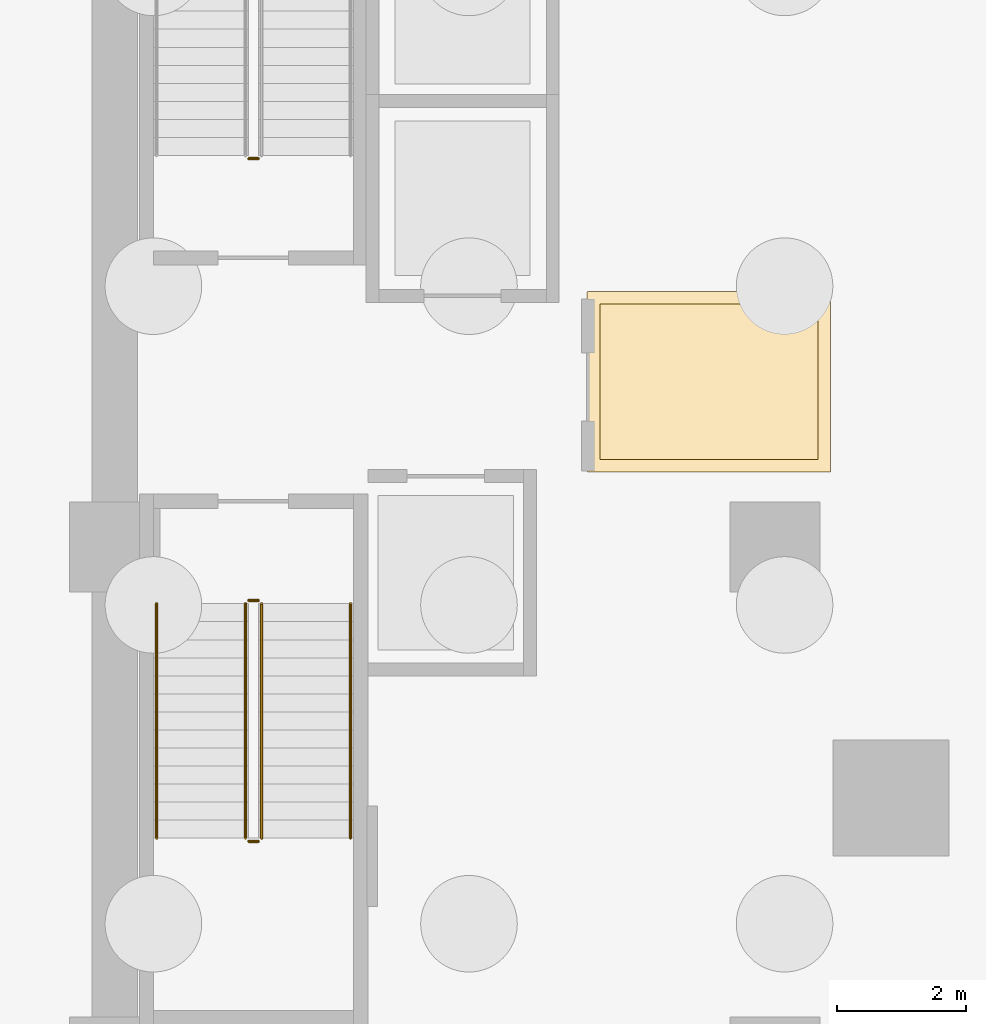
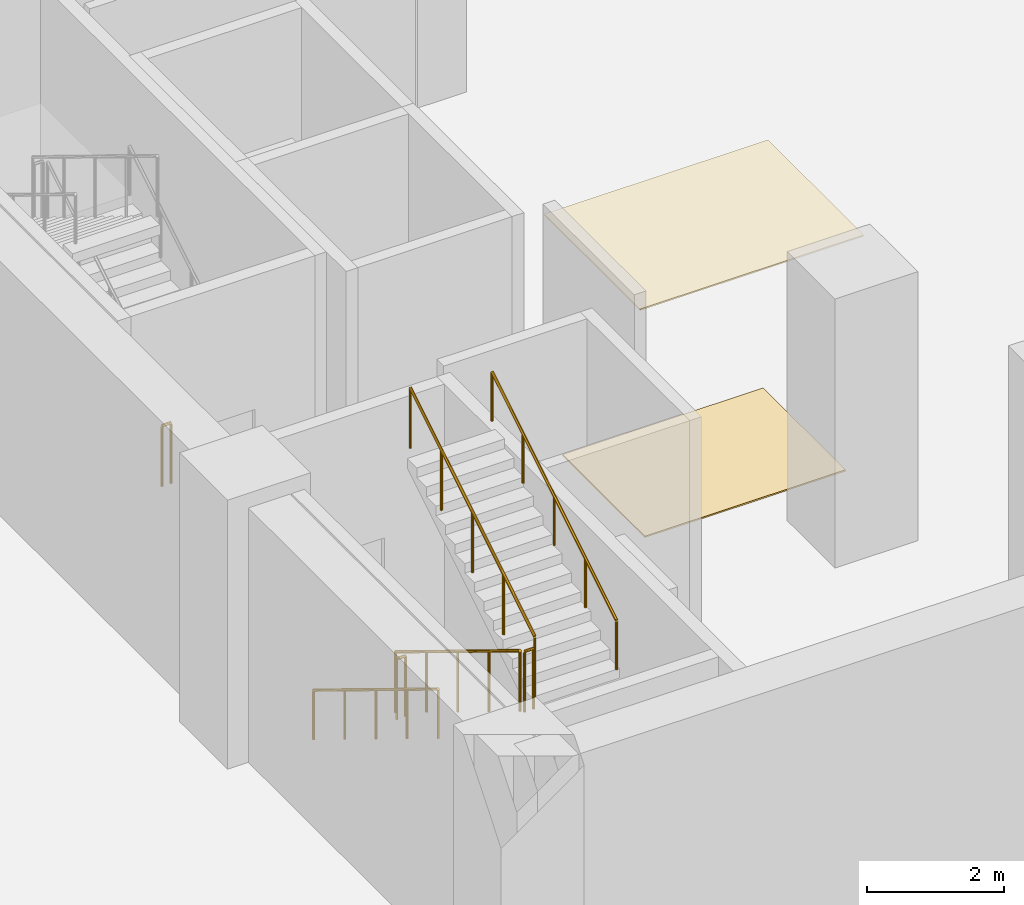
# One storey, part 6 of 10: 7 railings, 2 coverings.
"""IFC4 building model written with IfcOpenShell, lengths in metres."""

from ifc_helpers import new_model, si_unit, direction, frame, origin, origin_2d, place, context, subcontext, project, spatial, polyline, circle, outline, extrude, material, layer, layer_set, type_object, element, save


model = new_model("IFC4")

# Units and contexts
model_context = context("Model", 3, precision=1e-05, world=origin(), true_north=direction((0.0, 1.0)))
body_context = subcontext(model_context, "Body", "Model", "MODEL_VIEW")
ifc_project = project(units=[si_unit("LENGTHUNIT", "METRE"), si_unit("AREAUNIT", "SQUARE_METRE"), si_unit("VOLUMEUNIT", "CUBIC_METRE"), si_unit("PLANEANGLEUNIT", "RADIAN"), si_unit("MASSUNIT", "GRAM", prefix="KILO")], contexts=[model_context])

# Site, building, storey
site_placement = place(None, origin())
site = spatial("IfcSite", under=ifc_project, at=site_placement, CompositionType="ELEMENT")
building_placement = place(site_placement, origin())
building = spatial("IfcBuilding", under=site, at=building_placement, Name="Valdorenza Pilgrim Sanctuary Tower", CompositionType="ELEMENT")
storey_placement = place(building_placement, frame((0.0, 0.0, -9.60009765625)))
storey = spatial("IfcBuildingStorey", under=building, at=storey_placement, Name="B02", CompositionType="ELEMENT", Elevation=-9.60009765625)

# Coverings
ifc_material_1 = material(Name="Micro-perforated acoustic mineral ceiling tile", Category="gypsum")
ifc_layer_1 = layer(ifc_material_1, 0.02490234375, Name="Micro-perforated acoustic mineral ceiling tile")
ifc_layer_set_1 = layer_set([ifc_layer_1], Name="Micro-perforated acoustic mineral ceiling tile")
covering_type_1 = type_object("IfcCoveringType", Name="COV-CLG-ACU", PredefinedType="CEILING", material=ifc_layer_set_1)
covering_1_placement = place(storey_placement, frame((0.0, 0.0, 4.239990234375)))
element("IfcCovering", 1, at=covering_1_placement, inside=storey, type_object=covering_type_1, Name="B02 Core A Passenger Lift Lobby Acoustic Ceiling", PredefinedType="CEILING", context=body_context, shape_type="SweptSolid", body=[
    extrude(outline(polyline([(-15.31494140625, 1.35009765625), (-15.31494140625, 1.3515625), (-15.314697265625, 1.352783203125), (-15.314453125, 1.3544921875), (-15.31396484375, 1.355712890625), (-15.313232421875, 1.357177734375), (-15.3125, 1.3583984375), (-15.3115234375, 1.359619140625), (-15.310546875, 1.360595703125), (-15.3095703125, 1.361572265625), (-15.308349609375, 1.362548828125), (-15.30712890625, 1.36328125), (-15.3056640625, 1.364013671875), (-15.304443359375, 1.364501953125), (-15.302978515625, 1.36474609375), (-15.301513671875, 1.364990234375), (-15.300048828125, 1.364990234375), (-11.550048828125, 1.364990234375), (-11.548583984375, 1.364990234375), (-11.547119140625, 1.36474609375), (-11.545654296875, 1.364501953125), (-11.544189453125, 1.364013671875), (-11.54296875, 1.36328125), (-11.541748046875, 1.362548828125), (-11.54052734375, 1.361572265625), (-11.539306640625, 1.360595703125), (-11.538330078125, 1.359619140625), (-11.53759765625, 1.3583984375), (-11.536865234375, 1.357177734375), (-11.5361328125, 1.355712890625), (-11.53564453125, 1.3544921875), (-11.535400390625, 1.352783203125), (-11.53515625, 1.3515625), (-11.534912109375, 1.35009765625), (-11.534912109375, -1.419921875), (-11.53515625, -1.42138671875), (-11.535400390625, -1.4228515625), (-11.53564453125, -1.42431640625), (-11.5361328125, -1.42578125), (-11.536865234375, -1.427001953125), (-11.53759765625, -1.42822265625), (-11.538330078125, -1.429443359375), (-11.539306640625, -1.4306640625), (-11.54052734375, -1.431640625), (-11.541748046875, -1.4326171875), (-11.54296875, -1.43310546875), (-11.544189453125, -1.433837890625), (-11.545654296875, -1.434326171875), (-11.547119140625, -1.434814453125), (-11.548583984375, -1.434814453125), (-11.550048828125, -1.43505859375), (-15.298095703125, -1.43505859375), (-15.299560546875, -1.434814453125), (-15.30078125, -1.434814453125), (-15.302490234375, -1.434326171875), (-15.3037109375, -1.433837890625), (-15.30517578125, -1.43310546875), (-15.306396484375, -1.4326171875), (-15.3076171875, -1.431640625), (-15.30859375, -1.4306640625), (-15.3095703125, -1.429443359375), (-15.310546875, -1.42822265625), (-15.311279296875, -1.427001953125), (-15.31201171875, -1.42578125), (-15.3125, -1.42431640625), (-15.312744140625, -1.4228515625), (-15.31298828125, -1.42138671875), (-15.31298828125, -1.419921875), (-15.31298828125, 1.244384765625), (-15.31298828125, 1.24462890625), (-15.313720703125, 1.24609375), (-15.314208984375, 1.24755859375), (-15.314697265625, 1.2490234375), (-15.31494140625, 1.25048828125), (-15.31494140625, 1.251953125), (-15.31494140625, 1.35009765625)])), origin(), (0.0, 0.0, 1.0), 0.025146484375),
])
ifc_material_2 = material(Name="Honed travertine stone flooring", Category="masonry")
ifc_layer_2 = layer(ifc_material_2, 0.030029296875, Name="Honed travertine stone flooring")
ifc_layer_set_2 = layer_set([ifc_layer_2], Name="Honed travertine stone flooring")
covering_type_2 = type_object("IfcCoveringType", Name="COV-FLR-TRV", PredefinedType="FLOORING", material=ifc_layer_set_2)
covering_2_placement = place(storey_placement, origin())
element("IfcCovering", 2, at=covering_2_placement, inside=storey, type_object=covering_type_2, Name="B02 Core A Passenger Lift Lobby Flooring", PredefinedType="FLOORING", context=body_context, shape_type="SweptSolid", body=[
    extrude(outline(polyline([(-15.117919921875, 1.169921875), (-11.72998046875, 1.169921875), (-11.72998046875, -1.239990234375), (-15.117919921875, -1.239990234375), (-15.117919921875, 1.169921875)])), origin(), (0.0, 0.0, 1.0), 0.025146484375),
])

# Railings
ifc_material_3 = material(Name="Stainless steel Grade 316", Category="steel")
railing_type_1 = type_object("IfcRailingType", Name="RLG-GRD-1120", PredefinedType="GUARDRAIL", material=ifc_material_3)
railing_1_placement = place(storey_placement, frame((-20.419921875, 3.429931640625, 0.0)))
element("IfcRailing", 3, at=railing_1_placement, inside=storey, type_object=railing_type_1, Name="B02 ST-A1 stair guard 4", PredefinedType="GUARDRAIL", context=body_context, shape_type="SweptSolid", body=[
    extrude(circle(Radius=0.02392578125, at=origin_2d()), frame((0.0, 0.0, 1.076171875), z_axis=(-1.0, 0.0, 0.0), x_axis=(0.0, -1.0, 0.0)), (0.0, 0.0, 1.0), 0.150146484375),
    extrude(circle(Radius=0.02099609375, at=origin_2d()), origin(), (0.0, 0.0, 1.0), 1.052001953125),
    extrude(circle(Radius=0.02099609375, at=origin_2d()), frame((-0.150146484375, 0.0, 0.0)), (0.0, 0.0, 1.0), 1.052001953125),
])
railing_2_placement = place(storey_placement, frame((-20.6201171875, -3.47998046875, 0.171630859375)))
element("IfcRailing", 4, at=railing_2_placement, inside=storey, type_object=railing_type_1, Name="B02 ST-A2 stair guard 1", PredefinedType="GUARDRAIL", context=body_context, shape_type="SweptSolid", body=[
    extrude(circle(Radius=0.02392578125, at=origin_2d()), frame((0.0, 0.0, 1.076171875), z_axis=(0.0, -0.852865859571, 0.52213008492), x_axis=(1.0, 0.0, 0.0)), (0.0, 0.0, 1.0), 4.26806640625),
    extrude(circle(Radius=0.02099609375, at=origin_2d()), origin(), (0.0, 0.0, 1.0), 1.052001953125),
    extrude(circle(Radius=0.02099609375, at=origin_2d()), frame((0.0, -0.91015625, 0.55712890625)), (0.0, 0.0, 1.0), 1.052001953125),
    extrude(circle(Radius=0.02099609375, at=origin_2d()), frame((0.0, -1.820068359375, 1.1142578125)), (0.0, 0.0, 1.0), 1.052001953125),
    extrude(circle(Radius=0.02099609375, at=origin_2d()), frame((0.0, -2.72998046875, 1.67138671875)), (0.0, 0.0, 1.0), 1.052001953125),
    extrude(circle(Radius=0.02099609375, at=origin_2d()), frame((0.0, -3.64013671875, 2.228515625)), (0.0, 0.0, 1.0), 1.052001953125),
])
railing_3_placement = place(storey_placement, frame((-20.570068359375, -7.169921875, 2.400146484375)))
element("IfcRailing", 5, at=railing_3_placement, inside=storey, type_object=railing_type_1, Name="B02 ST-A2 stair guard 2", PredefinedType="GUARDRAIL", context=body_context, shape_type="SweptSolid", body=[
    extrude(circle(Radius=0.02392578125, at=origin_2d()), frame((0.0, 0.0, 1.076171875), z_axis=(1.0, 0.0, 0.0), x_axis=(0.0, 1.0, 0.0)), (0.0, 0.0, 1.0), 0.150146484375),
    extrude(circle(Radius=0.02099609375, at=origin_2d()), origin(), (0.0, 0.0, 1.0), 1.052001953125),
    extrude(circle(Radius=0.02099609375, at=origin_2d()), frame((0.150146484375, 0.0, 0.0)), (0.0, 0.0, 1.0), 1.052001953125),
])
railing_4_placement = place(storey_placement, frame((-20.3701171875, -7.1201171875, 2.571533203125)))
element("IfcRailing", 6, at=railing_4_placement, inside=storey, type_object=railing_type_1, Name="B02 ST-A2 stair guard 3", PredefinedType="GUARDRAIL", context=body_context, shape_type="SweptSolid", body=[
    extrude(circle(Radius=0.02392578125, at=origin_2d()), frame((0.0, 0.0, 1.076171875), z_axis=(0.0, 0.852865859571, 0.52213008492), x_axis=(-1.0, 0.0, 0.0)), (0.0, 0.0, 1.0), 4.26806640625),
    extrude(circle(Radius=0.02099609375, at=origin_2d()), origin(), (0.0, 0.0, 1.0), 1.052001953125),
    extrude(circle(Radius=0.02099609375, at=origin_2d()), frame((0.0, 0.91015625, 0.55712890625)), (0.0, 0.0, 1.0), 1.052001953125),
    extrude(circle(Radius=0.02099609375, at=origin_2d()), frame((0.0, 1.820068359375, 1.1142578125)), (0.0, 0.0, 1.0), 1.052001953125),
    extrude(circle(Radius=0.02099609375, at=origin_2d()), frame((0.0, 2.72998046875, 1.67138671875)), (0.0, 0.0, 1.0), 1.052001953125),
    extrude(circle(Radius=0.02099609375, at=origin_2d()), frame((0.0, 3.64013671875, 2.228515625)), (0.0, 0.0, 1.0), 1.052001953125),
])
railing_5_placement = place(storey_placement, frame((-20.570068359375, -3.429931640625, 0.0)))
element("IfcRailing", 7, at=railing_5_placement, inside=storey, type_object=railing_type_1, Name="B02 ST-A2 stair guard 4", PredefinedType="GUARDRAIL", context=body_context, shape_type="SweptSolid", body=[
    extrude(circle(Radius=0.02392578125, at=origin_2d()), frame((0.0, 0.0, 1.076171875), z_axis=(1.0, 0.0, 0.0), x_axis=(0.0, 1.0, 0.0)), (0.0, 0.0, 1.0), 0.150146484375),
    extrude(circle(Radius=0.02099609375, at=origin_2d()), origin(), (0.0, 0.0, 1.0), 1.052001953125),
    extrude(circle(Radius=0.02099609375, at=origin_2d()), frame((0.150146484375, 0.0, 0.0)), (0.0, 0.0, 1.0), 1.052001953125),
])
ifc_material_4 = material(Name="Brushed stainless steel Grade 316", Category="steel")
railing_type_2 = type_object("IfcRailingType", Name="RLG-HND-920", PredefinedType="HANDRAIL", material=ifc_material_4)
railing_6_placement = place(storey_placement, frame((-22.0, -3.47998046875, 0.171630859375)))
element("IfcRailing", 8, at=railing_6_placement, inside=storey, type_object=railing_type_2, Name="B02 ST-A2 stair handrail 1", PredefinedType="HANDRAIL", context=body_context, shape_type="SweptSolid", body=[
    extrude(circle(Radius=0.02392578125, at=origin_2d()), frame((0.0, 0.0, 0.8759765625), z_axis=(0.0, -0.852865859571, 0.52213008492), x_axis=(1.0, 0.0, 0.0)), (0.0, 0.0, 1.0), 4.26806640625),
    extrude(circle(Radius=0.02099609375, at=origin_2d()), origin(), (0.0, 0.0, 1.0), 0.851806640625),
    extrude(circle(Radius=0.02099609375, at=origin_2d()), frame((0.0, -0.91015625, 0.55712890625)), (0.0, 0.0, 1.0), 0.851806640625),
    extrude(circle(Radius=0.02099609375, at=origin_2d()), frame((0.0, -1.820068359375, 1.1142578125)), (0.0, 0.0, 1.0), 0.851806640625),
    extrude(circle(Radius=0.02099609375, at=origin_2d()), frame((0.0, -2.72998046875, 1.67138671875)), (0.0, 0.0, 1.0), 0.851806640625),
    extrude(circle(Radius=0.02099609375, at=origin_2d()), frame((0.0, -3.64013671875, 2.228515625)), (0.0, 0.0, 1.0), 0.851806640625),
])
railing_7_placement = place(storey_placement, frame((-18.989990234375, -7.1201171875, 2.571533203125)))
element("IfcRailing", 9, at=railing_7_placement, inside=storey, type_object=railing_type_2, Name="B02 ST-A2 stair handrail 2", PredefinedType="HANDRAIL", context=body_context, shape_type="SweptSolid", body=[
    extrude(circle(Radius=0.02392578125, at=origin_2d()), frame((0.0, 0.0, 0.8759765625), z_axis=(0.0, 0.852865859571, 0.52213008492), x_axis=(-1.0, 0.0, 0.0)), (0.0, 0.0, 1.0), 4.26806640625),
    extrude(circle(Radius=0.02099609375, at=origin_2d()), origin(), (0.0, 0.0, 1.0), 0.851806640625),
    extrude(circle(Radius=0.02099609375, at=origin_2d()), frame((0.0, 0.91015625, 0.55712890625)), (0.0, 0.0, 1.0), 0.851806640625),
    extrude(circle(Radius=0.02099609375, at=origin_2d()), frame((0.0, 1.820068359375, 1.1142578125)), (0.0, 0.0, 1.0), 0.851806640625),
    extrude(circle(Radius=0.02099609375, at=origin_2d()), frame((0.0, 2.72998046875, 1.67138671875)), (0.0, 0.0, 1.0), 0.851806640625),
    extrude(circle(Radius=0.02099609375, at=origin_2d()), frame((0.0, 3.64013671875, 2.228515625)), (0.0, 0.0, 1.0), 0.851806640625),
])

save(model, "model.ifc")
